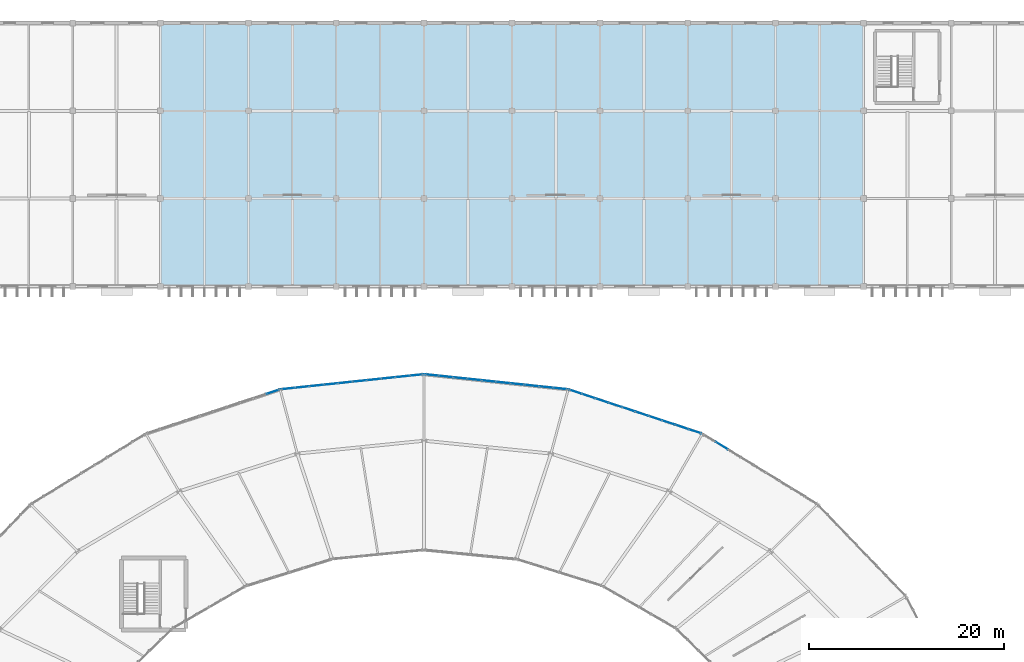
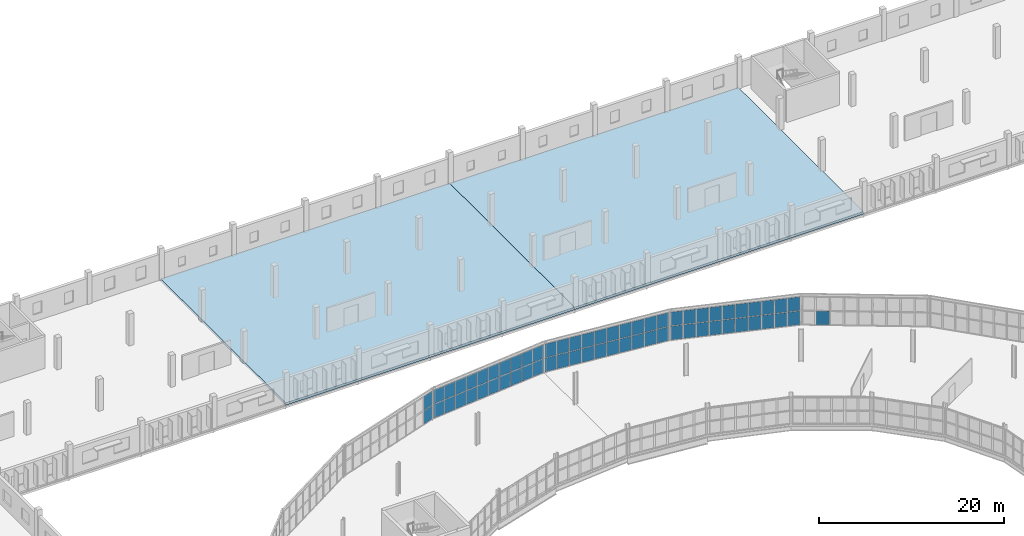
# One storey, part 128 of 161: 63 plates, 2 slabs, 5 elements without a shape of their own.
"""IFC4 building model written with IfcOpenShell, lengths in metres."""

from ifc_helpers import new_model, si_unit, direction, frame, origin, origin_2d, place, context, subcontext, project, spatial, polyline, rectangle, outline, extrude, material, layer, layer_set, type_object, element, aggregate, save


model = new_model("IFC4")

# Units and contexts
model_context = context("Model", 3, precision=1e-05, world=origin(), true_north=direction((0.0, 1.0)))
body_context = subcontext(model_context, "Body", "Model", "MODEL_VIEW")
ifc_project = project(units=[si_unit("LENGTHUNIT", "METRE"), si_unit("AREAUNIT", "SQUARE_METRE"), si_unit("VOLUMEUNIT", "CUBIC_METRE"), si_unit("PLANEANGLEUNIT", "RADIAN"), si_unit("MASSUNIT", "GRAM", prefix="KILO")], contexts=[model_context])

# Site, building, storey
site_placement = place(None, origin())
site = spatial("IfcSite", under=ifc_project, at=site_placement, CompositionType="ELEMENT")
building_placement = place(site_placement, origin())
building = spatial("IfcBuilding", under=site, at=building_placement, Name="Kildeholm Park Wholesale Market", CompositionType="ELEMENT")
storey_placement = place(building_placement, frame((0.0, 0.0, 5.39990234375)))
storey = spatial("IfcBuildingStorey", under=building, at=storey_placement, Name="L01", CompositionType="ELEMENT", Elevation=5.39990234375)

# Curtain wall, plate
ifc_material_1 = material(Name="Anodised aluminium and low-E double-glazed glass", Category="aluminium")
curtain_wall_type = type_object("IfcCurtainWallType", Name="Market hall glazed arcade stick curtain wall CW-01", PredefinedType="NOTDEFINED", material=ifc_material_1)
curtain_wall_1_placement = place(storey_placement, origin())
curtain_wall_1 = element("IfcCurtainWall", 1, at=curtain_wall_1_placement, inside=storey, type_object=curtain_wall_type, Name="Curtain wall CW-V1-OT-03-1 CW-0016", PredefinedType="NOTDEFINED")
ifc_material_2 = material(Name="Double-glazed low-E insulated glass", Category="glass")
ifc_layer_1 = layer(ifc_material_2, 0.028076171875)
ifc_layer_set_1 = layer_set([ifc_layer_1], Name="Double-glazed low-E insulated glass")
plate_type = type_object("IfcPlateType", Name="Curtain-wall panel CWP-1 28 mm", PredefinedType="CURTAIN_PANEL", material=ifc_layer_set_1)
plate_1_placement = place(storey_placement, frame((129.493408203125, 127.688720703125, 0.06494140625), z_axis=(0.0, 0.0, 1.0), x_axis=(-0.852771402766, 0.522284342695, 0.0)))
plate_1 = element("IfcPlate", 2, at=plate_1_placement, type_object=plate_type, Name="CW-01 panel 8.1 PLT-0368", PredefinedType="CURTAIN_PANEL", context=body_context, shape_type="SweptSolid", body=[
    extrude(rectangle(XDim=1.46435546875, YDim=0.028076171875, at=origin_2d()), origin(), (0.0, 0.0, 1.0), 1.802490234375),
])
aggregate(curtain_wall_1, [plate_1])

# Curtain wall, plates
curtain_wall_2_placement = place(storey_placement, origin())
curtain_wall_2 = element("IfcCurtainWall", 3, at=curtain_wall_2_placement, inside=storey, type_object=curtain_wall_type, Name="Curtain wall CW-V1-OT-04-1 CW-0021", PredefinedType="NOTDEFINED")
plate_2_placement = place(storey_placement, frame((126.76513671875, 129.152099609375, 0.06494140625), z_axis=(0.0, 0.0, 1.0), x_axis=(-0.949451374478, 0.313914140335, 0.0)))
plate_2 = element("IfcPlate", 4, at=plate_2_placement, type_object=plate_type, Name="CW-01 panel 1.1 PLT-0424", PredefinedType="CURTAIN_PANEL", context=body_context, shape_type="SweptSolid", body=[
    extrude(rectangle(XDim=1.34228515625, YDim=0.028076171875, at=origin_2d()), origin(), (0.0, 0.0, 1.0), 1.802490234375),
])
plate_3_placement = place(storey_placement, frame((126.76513671875, 129.152099609375, 1.9326171875), z_axis=(0.0, 0.0, 1.0), x_axis=(-0.949451374478, 0.313914140335, 0.0)))
plate_3 = element("IfcPlate", 5, at=plate_3_placement, type_object=plate_type, Name="CW-01 panel 1.2 PLT-0425", PredefinedType="CURTAIN_PANEL", context=body_context, shape_type="SweptSolid", body=[
    extrude(rectangle(XDim=1.34228515625, YDim=0.028076171875, at=origin_2d()), origin(), (0.0, 0.0, 1.0), 1.802490234375),
])
plate_4_placement = place(storey_placement, frame((125.413330078125, 129.59912109375, 0.06494140625), z_axis=(0.0, 0.0, 1.0), x_axis=(-0.949451374478, 0.313914140335, 0.0)))
plate_4 = element("IfcPlate", 6, at=plate_4_placement, type_object=plate_type, Name="CW-01 panel 2.1 PLT-0426", PredefinedType="CURTAIN_PANEL", context=body_context, shape_type="SweptSolid", body=[
    extrude(rectangle(XDim=1.375, YDim=0.028076171875, at=origin_2d()), origin(), (0.0, 0.0, 1.0), 1.802490234375),
])
plate_5_placement = place(storey_placement, frame((125.413330078125, 129.59912109375, 1.9326171875), z_axis=(0.0, 0.0, 1.0), x_axis=(-0.949451374478, 0.313914140335, 0.0)))
plate_5 = element("IfcPlate", 7, at=plate_5_placement, type_object=plate_type, Name="CW-01 panel 2.2 PLT-0427", PredefinedType="CURTAIN_PANEL", context=body_context, shape_type="SweptSolid", body=[
    extrude(rectangle(XDim=1.375, YDim=0.028076171875, at=origin_2d()), origin(), (0.0, 0.0, 1.0), 1.802490234375),
])
plate_6_placement = place(storey_placement, frame((124.046142578125, 130.051025390625, 0.06494140625), z_axis=(0.0, 0.0, 1.0), x_axis=(-0.949451374478, 0.313914140335, 0.0)))
plate_6 = element("IfcPlate", 8, at=plate_6_placement, type_object=plate_type, Name="CW-01 panel 3.1 PLT-0428", PredefinedType="CURTAIN_PANEL", context=body_context, shape_type="SweptSolid", body=[
    extrude(rectangle(XDim=1.375, YDim=0.028076171875, at=origin_2d()), origin(), (0.0, 0.0, 1.0), 1.802490234375),
])
plate_7_placement = place(storey_placement, frame((124.046142578125, 130.051025390625, 1.9326171875), z_axis=(0.0, 0.0, 1.0), x_axis=(-0.949451374478, 0.313914140335, 0.0)))
plate_7 = element("IfcPlate", 9, at=plate_7_placement, type_object=plate_type, Name="CW-01 panel 3.2 PLT-0429", PredefinedType="CURTAIN_PANEL", context=body_context, shape_type="SweptSolid", body=[
    extrude(rectangle(XDim=1.375, YDim=0.028076171875, at=origin_2d()), origin(), (0.0, 0.0, 1.0), 1.802490234375),
])
plate_8_placement = place(storey_placement, frame((122.67919921875, 130.5029296875, 0.06494140625), z_axis=(0.0, 0.0, 1.0), x_axis=(-0.949451374478, 0.313914140335, 0.0)))
plate_8 = element("IfcPlate", 10, at=plate_8_placement, type_object=plate_type, Name="CW-01 panel 4.1 PLT-0430", PredefinedType="CURTAIN_PANEL", context=body_context, shape_type="SweptSolid", body=[
    extrude(rectangle(XDim=1.375, YDim=0.028076171875, at=origin_2d()), origin(), (0.0, 0.0, 1.0), 1.802490234375),
])
plate_9_placement = place(storey_placement, frame((122.67919921875, 130.5029296875, 1.9326171875), z_axis=(0.0, 0.0, 1.0), x_axis=(-0.949451374478, 0.313914140335, 0.0)))
plate_9 = element("IfcPlate", 11, at=plate_9_placement, type_object=plate_type, Name="CW-01 panel 4.2 PLT-0431", PredefinedType="CURTAIN_PANEL", context=body_context, shape_type="SweptSolid", body=[
    extrude(rectangle(XDim=1.375, YDim=0.028076171875, at=origin_2d()), origin(), (0.0, 0.0, 1.0), 1.802490234375),
])
plate_10_placement = place(storey_placement, frame((121.31201171875, 130.955078125, 0.06494140625), z_axis=(0.0, 0.0, 1.0), x_axis=(-0.949451374478, 0.313914140335, 0.0)))
plate_10 = element("IfcPlate", 12, at=plate_10_placement, type_object=plate_type, Name="CW-01 panel 5.1 PLT-0432", PredefinedType="CURTAIN_PANEL", context=body_context, shape_type="SweptSolid", body=[
    extrude(rectangle(XDim=1.375, YDim=0.028076171875, at=origin_2d()), origin(), (0.0, 0.0, 1.0), 1.802490234375),
])
plate_11_placement = place(storey_placement, frame((121.31201171875, 130.955078125, 1.9326171875), z_axis=(0.0, 0.0, 1.0), x_axis=(-0.949451374478, 0.313914140335, 0.0)))
plate_11 = element("IfcPlate", 13, at=plate_11_placement, type_object=plate_type, Name="CW-01 panel 5.2 PLT-0433", PredefinedType="CURTAIN_PANEL", context=body_context, shape_type="SweptSolid", body=[
    extrude(rectangle(XDim=1.375, YDim=0.028076171875, at=origin_2d()), origin(), (0.0, 0.0, 1.0), 1.802490234375),
])
plate_12_placement = place(storey_placement, frame((119.945068359375, 131.406982421875, 0.06494140625), z_axis=(0.0, 0.0, 1.0), x_axis=(-0.949451374478, 0.313914140335, 0.0)))
plate_12 = element("IfcPlate", 14, at=plate_12_placement, type_object=plate_type, Name="CW-01 panel 6.1 PLT-0434", PredefinedType="CURTAIN_PANEL", context=body_context, shape_type="SweptSolid", body=[
    extrude(rectangle(XDim=1.375, YDim=0.028076171875, at=origin_2d()), origin(), (0.0, 0.0, 1.0), 1.802490234375),
])
plate_13_placement = place(storey_placement, frame((119.945068359375, 131.406982421875, 1.9326171875), z_axis=(0.0, 0.0, 1.0), x_axis=(-0.949451374478, 0.313914140335, 0.0)))
plate_13 = element("IfcPlate", 15, at=plate_13_placement, type_object=plate_type, Name="CW-01 panel 6.2 PLT-0435", PredefinedType="CURTAIN_PANEL", context=body_context, shape_type="SweptSolid", body=[
    extrude(rectangle(XDim=1.375, YDim=0.028076171875, at=origin_2d()), origin(), (0.0, 0.0, 1.0), 1.802490234375),
])
plate_14_placement = place(storey_placement, frame((118.577880859375, 131.85888671875, 0.06494140625), z_axis=(0.0, 0.0, 1.0), x_axis=(-0.949451374478, 0.313914140335, 0.0)))
plate_14 = element("IfcPlate", 16, at=plate_14_placement, type_object=plate_type, Name="CW-01 panel 7.1 PLT-0436", PredefinedType="CURTAIN_PANEL", context=body_context, shape_type="SweptSolid", body=[
    extrude(rectangle(XDim=1.375, YDim=0.028076171875, at=origin_2d()), origin(), (0.0, 0.0, 1.0), 1.802490234375),
])
plate_15_placement = place(storey_placement, frame((118.577880859375, 131.85888671875, 1.9326171875), z_axis=(0.0, 0.0, 1.0), x_axis=(-0.949451374478, 0.313914140335, 0.0)))
plate_15 = element("IfcPlate", 17, at=plate_15_placement, type_object=plate_type, Name="CW-01 panel 7.2 PLT-0437", PredefinedType="CURTAIN_PANEL", context=body_context, shape_type="SweptSolid", body=[
    extrude(rectangle(XDim=1.375, YDim=0.028076171875, at=origin_2d()), origin(), (0.0, 0.0, 1.0), 1.802490234375),
])
plate_16_placement = place(storey_placement, frame((117.210693359375, 132.31103515625, 0.06494140625), z_axis=(0.0, 0.0, 1.0), x_axis=(-0.949451374478, 0.313914140335, 0.0)))
plate_16 = element("IfcPlate", 18, at=plate_16_placement, type_object=plate_type, Name="CW-01 panel 8.1 PLT-0438", PredefinedType="CURTAIN_PANEL", context=body_context, shape_type="SweptSolid", body=[
    extrude(rectangle(XDim=1.375, YDim=0.028076171875, at=origin_2d()), origin(), (0.0, 0.0, 1.0), 1.802490234375),
])
plate_17_placement = place(storey_placement, frame((117.210693359375, 132.31103515625, 1.9326171875), z_axis=(0.0, 0.0, 1.0), x_axis=(-0.949451374478, 0.313914140335, 0.0)))
plate_17 = element("IfcPlate", 19, at=plate_17_placement, type_object=plate_type, Name="CW-01 panel 8.2 PLT-0439", PredefinedType="CURTAIN_PANEL", context=body_context, shape_type="SweptSolid", body=[
    extrude(rectangle(XDim=1.375, YDim=0.028076171875, at=origin_2d()), origin(), (0.0, 0.0, 1.0), 1.802490234375),
])
plate_18_placement = place(storey_placement, frame((115.84375, 132.762939453125, 0.06494140625), z_axis=(0.0, 0.0, 1.0), x_axis=(-0.949451374478, 0.313914140335, 0.0)))
plate_18 = element("IfcPlate", 20, at=plate_18_placement, type_object=plate_type, Name="CW-01 panel 9.1 PLT-0440", PredefinedType="CURTAIN_PANEL", context=body_context, shape_type="SweptSolid", body=[
    extrude(rectangle(XDim=1.375, YDim=0.028076171875, at=origin_2d()), origin(), (0.0, 0.0, 1.0), 1.802490234375),
])
plate_19_placement = place(storey_placement, frame((115.84375, 132.762939453125, 1.9326171875), z_axis=(0.0, 0.0, 1.0), x_axis=(-0.949451374478, 0.313914140335, 0.0)))
plate_19 = element("IfcPlate", 21, at=plate_19_placement, type_object=plate_type, Name="CW-01 panel 9.2 PLT-0441", PredefinedType="CURTAIN_PANEL", context=body_context, shape_type="SweptSolid", body=[
    extrude(rectangle(XDim=1.375, YDim=0.028076171875, at=origin_2d()), origin(), (0.0, 0.0, 1.0), 1.802490234375),
])
plate_20_placement = place(storey_placement, frame((114.491943359375, 133.2099609375, 0.06494140625), z_axis=(0.0, 0.0, 1.0), x_axis=(-0.949451374478, 0.313914140335, 0.0)))
plate_20 = element("IfcPlate", 22, at=plate_20_placement, type_object=plate_type, Name="CW-01 panel 10.1 PLT-0442", PredefinedType="CURTAIN_PANEL", context=body_context, shape_type="SweptSolid", body=[
    extrude(rectangle(XDim=1.34228515625, YDim=0.028076171875, at=origin_2d()), origin(), (0.0, 0.0, 1.0), 1.802490234375),
])
plate_21_placement = place(storey_placement, frame((114.491943359375, 133.2099609375, 1.9326171875), z_axis=(0.0, 0.0, 1.0), x_axis=(-0.949451374478, 0.313914140335, 0.0)))
plate_21 = element("IfcPlate", 23, at=plate_21_placement, type_object=plate_type, Name="CW-01 panel 10.2 PLT-0443", PredefinedType="CURTAIN_PANEL", context=body_context, shape_type="SweptSolid", body=[
    extrude(rectangle(XDim=1.34228515625, YDim=0.028076171875, at=origin_2d()), origin(), (0.0, 0.0, 1.0), 1.802490234375),
])
aggregate(curtain_wall_2, [plate_2, plate_3, plate_4, plate_5, plate_6, plate_7, plate_8, plate_9, plate_10, plate_11, plate_12, plate_13, plate_14, plate_15, plate_16, plate_17, plate_18, plate_19, plate_20, plate_21])

curtain_wall_3_placement = place(storey_placement, origin())
curtain_wall_3 = element("IfcCurtainWall", 24, at=curtain_wall_3_placement, inside=storey, type_object=curtain_wall_type, Name="Curtain wall CW-V1-OT-05-1 CW-0026", PredefinedType="NOTDEFINED")
plate_22_placement = place(storey_placement, frame((112.964111328125, 133.536865234375, 0.06494140625), z_axis=(0.0, 0.0, 1.0), x_axis=(-0.994524005652, 0.104508383308, 0.0)))
plate_22 = element("IfcPlate", 25, at=plate_22_placement, type_object=plate_type, Name="CW-01 panel 1.1 PLT-0496", PredefinedType="CURTAIN_PANEL", context=body_context, shape_type="SweptSolid", body=[
    extrude(rectangle(XDim=1.3779296875, YDim=0.028076171875, at=origin_2d()), origin(), (0.0, 0.0, 1.0), 1.802490234375),
])
plate_23_placement = place(storey_placement, frame((112.964111328125, 133.536865234375, 1.9326171875), z_axis=(0.0, 0.0, 1.0), x_axis=(-0.994524005652, 0.104508383308, 0.0)))
plate_23 = element("IfcPlate", 26, at=plate_23_placement, type_object=plate_type, Name="CW-01 panel 1.2 PLT-0497", PredefinedType="CURTAIN_PANEL", context=body_context, shape_type="SweptSolid", body=[
    extrude(rectangle(XDim=1.3779296875, YDim=0.028076171875, at=origin_2d()), origin(), (0.0, 0.0, 1.0), 1.802490234375),
])
plate_24_placement = place(storey_placement, frame((111.512939453125, 133.689208984375, 0.06494140625), z_axis=(0.0, 0.0, 1.0), x_axis=(-0.994524005652, 0.104508383308, 0.0)))
plate_24 = element("IfcPlate", 27, at=plate_24_placement, type_object=plate_type, Name="CW-01 panel 2.1 PLT-0498", PredefinedType="CURTAIN_PANEL", context=body_context, shape_type="SweptSolid", body=[
    extrude(rectangle(XDim=1.410400390625, YDim=0.028076171875, at=origin_2d()), origin(), (0.0, 0.0, 1.0), 1.802490234375),
])
plate_25_placement = place(storey_placement, frame((111.512939453125, 133.689208984375, 1.9326171875), z_axis=(0.0, 0.0, 1.0), x_axis=(-0.994524005652, 0.104508383308, 0.0)))
plate_25 = element("IfcPlate", 28, at=plate_25_placement, type_object=plate_type, Name="CW-01 panel 2.2 PLT-0499", PredefinedType="CURTAIN_PANEL", context=body_context, shape_type="SweptSolid", body=[
    extrude(rectangle(XDim=1.410400390625, YDim=0.028076171875, at=origin_2d()), origin(), (0.0, 0.0, 1.0), 1.802490234375),
])
plate_26_placement = place(storey_placement, frame((110.04541015625, 133.843505859375, 0.06494140625), z_axis=(0.0, 0.0, 1.0), x_axis=(-0.994524005652, 0.104508383308, 0.0)))
plate_26 = element("IfcPlate", 29, at=plate_26_placement, type_object=plate_type, Name="CW-01 panel 3.1 PLT-0500", PredefinedType="CURTAIN_PANEL", context=body_context, shape_type="SweptSolid", body=[
    extrude(rectangle(XDim=1.410400390625, YDim=0.028076171875, at=origin_2d()), origin(), (0.0, 0.0, 1.0), 1.802490234375),
])
plate_27_placement = place(storey_placement, frame((110.04541015625, 133.843505859375, 1.9326171875), z_axis=(0.0, 0.0, 1.0), x_axis=(-0.994524005652, 0.104508383308, 0.0)))
plate_27 = element("IfcPlate", 30, at=plate_27_placement, type_object=plate_type, Name="CW-01 panel 3.2 PLT-0501", PredefinedType="CURTAIN_PANEL", context=body_context, shape_type="SweptSolid", body=[
    extrude(rectangle(XDim=1.410400390625, YDim=0.028076171875, at=origin_2d()), origin(), (0.0, 0.0, 1.0), 1.802490234375),
])
plate_28_placement = place(storey_placement, frame((108.578125, 133.997802734375, 0.06494140625), z_axis=(0.0, 0.0, 1.0), x_axis=(-0.994524005652, 0.104508383308, 0.0)))
plate_28 = element("IfcPlate", 31, at=plate_28_placement, type_object=plate_type, Name="CW-01 panel 4.1 PLT-0502", PredefinedType="CURTAIN_PANEL", context=body_context, shape_type="SweptSolid", body=[
    extrude(rectangle(XDim=1.410400390625, YDim=0.028076171875, at=origin_2d()), origin(), (0.0, 0.0, 1.0), 1.802490234375),
])
plate_29_placement = place(storey_placement, frame((108.578125, 133.997802734375, 1.9326171875), z_axis=(0.0, 0.0, 1.0), x_axis=(-0.994524005652, 0.104508383308, 0.0)))
plate_29 = element("IfcPlate", 32, at=plate_29_placement, type_object=plate_type, Name="CW-01 panel 4.2 PLT-0503", PredefinedType="CURTAIN_PANEL", context=body_context, shape_type="SweptSolid", body=[
    extrude(rectangle(XDim=1.410400390625, YDim=0.028076171875, at=origin_2d()), origin(), (0.0, 0.0, 1.0), 1.802490234375),
])
plate_30_placement = place(storey_placement, frame((107.110595703125, 134.15185546875, 0.06494140625), z_axis=(0.0, 0.0, 1.0), x_axis=(-0.994524005652, 0.104508383308, 0.0)))
plate_30 = element("IfcPlate", 33, at=plate_30_placement, type_object=plate_type, Name="CW-01 panel 5.1 PLT-0504", PredefinedType="CURTAIN_PANEL", context=body_context, shape_type="SweptSolid", body=[
    extrude(rectangle(XDim=1.410400390625, YDim=0.028076171875, at=origin_2d()), origin(), (0.0, 0.0, 1.0), 1.802490234375),
])
plate_31_placement = place(storey_placement, frame((107.110595703125, 134.15185546875, 1.9326171875), z_axis=(0.0, 0.0, 1.0), x_axis=(-0.994524005652, 0.104508383308, 0.0)))
plate_31 = element("IfcPlate", 34, at=plate_31_placement, type_object=plate_type, Name="CW-01 panel 5.2 PLT-0505", PredefinedType="CURTAIN_PANEL", context=body_context, shape_type="SweptSolid", body=[
    extrude(rectangle(XDim=1.410400390625, YDim=0.028076171875, at=origin_2d()), origin(), (0.0, 0.0, 1.0), 1.802490234375),
])
plate_32_placement = place(storey_placement, frame((105.643310546875, 134.30615234375, 0.06494140625), z_axis=(0.0, 0.0, 1.0), x_axis=(-0.994524005652, 0.104508383308, 0.0)))
plate_32 = element("IfcPlate", 35, at=plate_32_placement, type_object=plate_type, Name="CW-01 panel 6.1 PLT-0506", PredefinedType="CURTAIN_PANEL", context=body_context, shape_type="SweptSolid", body=[
    extrude(rectangle(XDim=1.410400390625, YDim=0.028076171875, at=origin_2d()), origin(), (0.0, 0.0, 1.0), 1.802490234375),
])
plate_33_placement = place(storey_placement, frame((105.643310546875, 134.30615234375, 1.9326171875), z_axis=(0.0, 0.0, 1.0), x_axis=(-0.994524005652, 0.104508383308, 0.0)))
plate_33 = element("IfcPlate", 36, at=plate_33_placement, type_object=plate_type, Name="CW-01 panel 6.2 PLT-0507", PredefinedType="CURTAIN_PANEL", context=body_context, shape_type="SweptSolid", body=[
    extrude(rectangle(XDim=1.410400390625, YDim=0.028076171875, at=origin_2d()), origin(), (0.0, 0.0, 1.0), 1.802490234375),
])
plate_34_placement = place(storey_placement, frame((104.17578125, 134.460205078125, 0.06494140625), z_axis=(0.0, 0.0, 1.0), x_axis=(-0.994524005652, 0.104508383308, 0.0)))
plate_34 = element("IfcPlate", 37, at=plate_34_placement, type_object=plate_type, Name="CW-01 panel 7.1 PLT-0508", PredefinedType="CURTAIN_PANEL", context=body_context, shape_type="SweptSolid", body=[
    extrude(rectangle(XDim=1.410400390625, YDim=0.028076171875, at=origin_2d()), origin(), (0.0, 0.0, 1.0), 1.802490234375),
])
plate_35_placement = place(storey_placement, frame((104.17578125, 134.460205078125, 1.9326171875), z_axis=(0.0, 0.0, 1.0), x_axis=(-0.994524005652, 0.104508383308, 0.0)))
plate_35 = element("IfcPlate", 38, at=plate_35_placement, type_object=plate_type, Name="CW-01 panel 7.2 PLT-0509", PredefinedType="CURTAIN_PANEL", context=body_context, shape_type="SweptSolid", body=[
    extrude(rectangle(XDim=1.410400390625, YDim=0.028076171875, at=origin_2d()), origin(), (0.0, 0.0, 1.0), 1.802490234375),
])
plate_36_placement = place(storey_placement, frame((102.70849609375, 134.614501953125, 0.06494140625), z_axis=(0.0, 0.0, 1.0), x_axis=(-0.994524005652, 0.104508383308, 0.0)))
plate_36 = element("IfcPlate", 39, at=plate_36_placement, type_object=plate_type, Name="CW-01 panel 8.1 PLT-0510", PredefinedType="CURTAIN_PANEL", context=body_context, shape_type="SweptSolid", body=[
    extrude(rectangle(XDim=1.410400390625, YDim=0.028076171875, at=origin_2d()), origin(), (0.0, 0.0, 1.0), 1.802490234375),
])
plate_37_placement = place(storey_placement, frame((102.70849609375, 134.614501953125, 1.9326171875), z_axis=(0.0, 0.0, 1.0), x_axis=(-0.994524005652, 0.104508383308, 0.0)))
plate_37 = element("IfcPlate", 40, at=plate_37_placement, type_object=plate_type, Name="CW-01 panel 8.2 PLT-0511", PredefinedType="CURTAIN_PANEL", context=body_context, shape_type="SweptSolid", body=[
    extrude(rectangle(XDim=1.410400390625, YDim=0.028076171875, at=origin_2d()), origin(), (0.0, 0.0, 1.0), 1.802490234375),
])
plate_38_placement = place(storey_placement, frame((101.2412109375, 134.768798828125, 0.06494140625), z_axis=(0.0, 0.0, 1.0), x_axis=(-0.994524005652, 0.104508383308, 0.0)))
plate_38 = element("IfcPlate", 41, at=plate_38_placement, type_object=plate_type, Name="CW-01 panel 9.1 PLT-0512", PredefinedType="CURTAIN_PANEL", context=body_context, shape_type="SweptSolid", body=[
    extrude(rectangle(XDim=1.410400390625, YDim=0.028076171875, at=origin_2d()), origin(), (0.0, 0.0, 1.0), 1.802490234375),
])
plate_39_placement = place(storey_placement, frame((101.2412109375, 134.768798828125, 1.9326171875), z_axis=(0.0, 0.0, 1.0), x_axis=(-0.994524005652, 0.104508383308, 0.0)))
plate_39 = element("IfcPlate", 42, at=plate_39_placement, type_object=plate_type, Name="CW-01 panel 9.2 PLT-0513", PredefinedType="CURTAIN_PANEL", context=body_context, shape_type="SweptSolid", body=[
    extrude(rectangle(XDim=1.410400390625, YDim=0.028076171875, at=origin_2d()), origin(), (0.0, 0.0, 1.0), 1.802490234375),
])
plate_40_placement = place(storey_placement, frame((99.789794921875, 134.921142578125, 0.06494140625), z_axis=(0.0, 0.0, 1.0), x_axis=(-0.994524005652, 0.104508383308, 0.0)))
plate_40 = element("IfcPlate", 43, at=plate_40_placement, type_object=plate_type, Name="CW-01 panel 10.1 PLT-0514", PredefinedType="CURTAIN_PANEL", context=body_context, shape_type="SweptSolid", body=[
    extrude(rectangle(XDim=1.3779296875, YDim=0.028076171875, at=origin_2d()), origin(), (0.0, 0.0, 1.0), 1.802490234375),
])
plate_41_placement = place(storey_placement, frame((99.789794921875, 134.921142578125, 1.9326171875), z_axis=(0.0, 0.0, 1.0), x_axis=(-0.994524005652, 0.104508383308, 0.0)))
plate_41 = element("IfcPlate", 44, at=plate_41_placement, type_object=plate_type, Name="CW-01 panel 10.2 PLT-0515", PredefinedType="CURTAIN_PANEL", context=body_context, shape_type="SweptSolid", body=[
    extrude(rectangle(XDim=1.3779296875, YDim=0.028076171875, at=origin_2d()), origin(), (0.0, 0.0, 1.0), 1.802490234375),
])
aggregate(curtain_wall_3, [plate_22, plate_23, plate_24, plate_25, plate_26, plate_27, plate_28, plate_29, plate_30, plate_31, plate_32, plate_33, plate_34, plate_35, plate_36, plate_37, plate_38, plate_39, plate_40, plate_41])

curtain_wall_4_placement = place(storey_placement, origin())
curtain_wall_4 = element("IfcCurtainWall", 45, at=curtain_wall_4_placement, inside=storey, type_object=curtain_wall_type, Name="Curtain wall CW-V1-OT-06-1 CW-0030", PredefinedType="NOTDEFINED")
plate_42_placement = place(storey_placement, frame((98.210205078125, 134.921142578125, 0.06494140625), z_axis=(0.0, 0.0, 1.0), x_axis=(-0.994524005652, -0.104508383308, 0.0)))
plate_42 = element("IfcPlate", 46, at=plate_42_placement, type_object=plate_type, Name="CW-01 panel 1.1 PLT-0558", PredefinedType="CURTAIN_PANEL", context=body_context, shape_type="SweptSolid", body=[
    extrude(rectangle(XDim=1.3779296875, YDim=0.028076171875, at=origin_2d()), origin(), (0.0, 0.0, 1.0), 1.802490234375),
])
plate_43_placement = place(storey_placement, frame((98.210205078125, 134.921142578125, 1.9326171875), z_axis=(0.0, 0.0, 1.0), x_axis=(-0.994524005652, -0.104508383308, 0.0)))
plate_43 = element("IfcPlate", 47, at=plate_43_placement, type_object=plate_type, Name="CW-01 panel 1.2 PLT-0559", PredefinedType="CURTAIN_PANEL", context=body_context, shape_type="SweptSolid", body=[
    extrude(rectangle(XDim=1.3779296875, YDim=0.028076171875, at=origin_2d()), origin(), (0.0, 0.0, 1.0), 1.802490234375),
])
plate_44_placement = place(storey_placement, frame((96.7587890625, 134.768798828125, 0.06494140625), z_axis=(0.0, 0.0, 1.0), x_axis=(-0.994524005652, -0.104508383308, 0.0)))
plate_44 = element("IfcPlate", 48, at=plate_44_placement, type_object=plate_type, Name="CW-01 panel 2.1 PLT-0560", PredefinedType="CURTAIN_PANEL", context=body_context, shape_type="SweptSolid", body=[
    extrude(rectangle(XDim=1.410400390625, YDim=0.028076171875, at=origin_2d()), origin(), (0.0, 0.0, 1.0), 1.802490234375),
])
plate_45_placement = place(storey_placement, frame((96.7587890625, 134.768798828125, 1.9326171875), z_axis=(0.0, 0.0, 1.0), x_axis=(-0.994524005652, -0.104508383308, 0.0)))
plate_45 = element("IfcPlate", 49, at=plate_45_placement, type_object=plate_type, Name="CW-01 panel 2.2 PLT-0561", PredefinedType="CURTAIN_PANEL", context=body_context, shape_type="SweptSolid", body=[
    extrude(rectangle(XDim=1.410400390625, YDim=0.028076171875, at=origin_2d()), origin(), (0.0, 0.0, 1.0), 1.802490234375),
])
plate_46_placement = place(storey_placement, frame((95.29150390625, 134.614501953125, 0.06494140625), z_axis=(0.0, 0.0, 1.0), x_axis=(-0.994524005652, -0.104508383308, 0.0)))
plate_46 = element("IfcPlate", 50, at=plate_46_placement, type_object=plate_type, Name="CW-01 panel 3.1 PLT-0562", PredefinedType="CURTAIN_PANEL", context=body_context, shape_type="SweptSolid", body=[
    extrude(rectangle(XDim=1.410400390625, YDim=0.028076171875, at=origin_2d()), origin(), (0.0, 0.0, 1.0), 1.802490234375),
])
plate_47_placement = place(storey_placement, frame((95.29150390625, 134.614501953125, 1.9326171875), z_axis=(0.0, 0.0, 1.0), x_axis=(-0.994524005652, -0.104508383308, 0.0)))
plate_47 = element("IfcPlate", 51, at=plate_47_placement, type_object=plate_type, Name="CW-01 panel 3.2 PLT-0563", PredefinedType="CURTAIN_PANEL", context=body_context, shape_type="SweptSolid", body=[
    extrude(rectangle(XDim=1.410400390625, YDim=0.028076171875, at=origin_2d()), origin(), (0.0, 0.0, 1.0), 1.802490234375),
])
plate_48_placement = place(storey_placement, frame((93.82421875, 134.460205078125, 0.06494140625), z_axis=(0.0, 0.0, 1.0), x_axis=(-0.994524005652, -0.104508383308, 0.0)))
plate_48 = element("IfcPlate", 52, at=plate_48_placement, type_object=plate_type, Name="CW-01 panel 4.1 PLT-0564", PredefinedType="CURTAIN_PANEL", context=body_context, shape_type="SweptSolid", body=[
    extrude(rectangle(XDim=1.410400390625, YDim=0.028076171875, at=origin_2d()), origin(), (0.0, 0.0, 1.0), 1.802490234375),
])
plate_49_placement = place(storey_placement, frame((93.82421875, 134.460205078125, 1.9326171875), z_axis=(0.0, 0.0, 1.0), x_axis=(-0.994524005652, -0.104508383308, 0.0)))
plate_49 = element("IfcPlate", 53, at=plate_49_placement, type_object=plate_type, Name="CW-01 panel 4.2 PLT-0565", PredefinedType="CURTAIN_PANEL", context=body_context, shape_type="SweptSolid", body=[
    extrude(rectangle(XDim=1.410400390625, YDim=0.028076171875, at=origin_2d()), origin(), (0.0, 0.0, 1.0), 1.802490234375),
])
plate_50_placement = place(storey_placement, frame((92.356689453125, 134.30615234375, 0.06494140625), z_axis=(0.0, 0.0, 1.0), x_axis=(-0.994524005652, -0.104508383308, 0.0)))
plate_50 = element("IfcPlate", 54, at=plate_50_placement, type_object=plate_type, Name="CW-01 panel 5.1 PLT-0566", PredefinedType="CURTAIN_PANEL", context=body_context, shape_type="SweptSolid", body=[
    extrude(rectangle(XDim=1.410400390625, YDim=0.028076171875, at=origin_2d()), origin(), (0.0, 0.0, 1.0), 1.802490234375),
])
plate_51_placement = place(storey_placement, frame((92.356689453125, 134.30615234375, 1.9326171875), z_axis=(0.0, 0.0, 1.0), x_axis=(-0.994524005652, -0.104508383308, 0.0)))
plate_51 = element("IfcPlate", 55, at=plate_51_placement, type_object=plate_type, Name="CW-01 panel 5.2 PLT-0567", PredefinedType="CURTAIN_PANEL", context=body_context, shape_type="SweptSolid", body=[
    extrude(rectangle(XDim=1.410400390625, YDim=0.028076171875, at=origin_2d()), origin(), (0.0, 0.0, 1.0), 1.802490234375),
])
plate_52_placement = place(storey_placement, frame((90.889404296875, 134.15185546875, 0.06494140625), z_axis=(0.0, 0.0, 1.0), x_axis=(-0.994524005652, -0.104508383308, 0.0)))
plate_52 = element("IfcPlate", 56, at=plate_52_placement, type_object=plate_type, Name="CW-01 panel 6.1 PLT-0568", PredefinedType="CURTAIN_PANEL", context=body_context, shape_type="SweptSolid", body=[
    extrude(rectangle(XDim=1.410400390625, YDim=0.028076171875, at=origin_2d()), origin(), (0.0, 0.0, 1.0), 1.802490234375),
])
plate_53_placement = place(storey_placement, frame((90.889404296875, 134.15185546875, 1.9326171875), z_axis=(0.0, 0.0, 1.0), x_axis=(-0.994524005652, -0.104508383308, 0.0)))
plate_53 = element("IfcPlate", 57, at=plate_53_placement, type_object=plate_type, Name="CW-01 panel 6.2 PLT-0569", PredefinedType="CURTAIN_PANEL", context=body_context, shape_type="SweptSolid", body=[
    extrude(rectangle(XDim=1.410400390625, YDim=0.028076171875, at=origin_2d()), origin(), (0.0, 0.0, 1.0), 1.802490234375),
])
plate_54_placement = place(storey_placement, frame((89.421875, 133.997802734375, 0.06494140625), z_axis=(0.0, 0.0, 1.0), x_axis=(-0.994524005652, -0.104508383308, 0.0)))
plate_54 = element("IfcPlate", 58, at=plate_54_placement, type_object=plate_type, Name="CW-01 panel 7.1 PLT-0570", PredefinedType="CURTAIN_PANEL", context=body_context, shape_type="SweptSolid", body=[
    extrude(rectangle(XDim=1.410400390625, YDim=0.028076171875, at=origin_2d()), origin(), (0.0, 0.0, 1.0), 1.802490234375),
])
plate_55_placement = place(storey_placement, frame((89.421875, 133.997802734375, 1.9326171875), z_axis=(0.0, 0.0, 1.0), x_axis=(-0.994524005652, -0.104508383308, 0.0)))
plate_55 = element("IfcPlate", 59, at=plate_55_placement, type_object=plate_type, Name="CW-01 panel 7.2 PLT-0571", PredefinedType="CURTAIN_PANEL", context=body_context, shape_type="SweptSolid", body=[
    extrude(rectangle(XDim=1.410400390625, YDim=0.028076171875, at=origin_2d()), origin(), (0.0, 0.0, 1.0), 1.802490234375),
])
plate_56_placement = place(storey_placement, frame((87.95458984375, 133.843505859375, 0.06494140625), z_axis=(0.0, 0.0, 1.0), x_axis=(-0.994524005652, -0.104508383308, 0.0)))
plate_56 = element("IfcPlate", 60, at=plate_56_placement, type_object=plate_type, Name="CW-01 panel 8.1 PLT-0572", PredefinedType="CURTAIN_PANEL", context=body_context, shape_type="SweptSolid", body=[
    extrude(rectangle(XDim=1.410400390625, YDim=0.028076171875, at=origin_2d()), origin(), (0.0, 0.0, 1.0), 1.802490234375),
])
plate_57_placement = place(storey_placement, frame((87.95458984375, 133.843505859375, 1.9326171875), z_axis=(0.0, 0.0, 1.0), x_axis=(-0.994524005652, -0.104508383308, 0.0)))
plate_57 = element("IfcPlate", 61, at=plate_57_placement, type_object=plate_type, Name="CW-01 panel 8.2 PLT-0573", PredefinedType="CURTAIN_PANEL", context=body_context, shape_type="SweptSolid", body=[
    extrude(rectangle(XDim=1.410400390625, YDim=0.028076171875, at=origin_2d()), origin(), (0.0, 0.0, 1.0), 1.802490234375),
])
plate_58_placement = place(storey_placement, frame((86.487060546875, 133.689208984375, 0.06494140625), z_axis=(0.0, 0.0, 1.0), x_axis=(-0.994524005652, -0.104508383308, 0.0)))
plate_58 = element("IfcPlate", 62, at=plate_58_placement, type_object=plate_type, Name="CW-01 panel 9.1 PLT-0574", PredefinedType="CURTAIN_PANEL", context=body_context, shape_type="SweptSolid", body=[
    extrude(rectangle(XDim=1.410400390625, YDim=0.028076171875, at=origin_2d()), origin(), (0.0, 0.0, 1.0), 1.802490234375),
])
plate_59_placement = place(storey_placement, frame((86.487060546875, 133.689208984375, 1.9326171875), z_axis=(0.0, 0.0, 1.0), x_axis=(-0.994524005652, -0.104508383308, 0.0)))
plate_59 = element("IfcPlate", 63, at=plate_59_placement, type_object=plate_type, Name="CW-01 panel 9.2 PLT-0575", PredefinedType="CURTAIN_PANEL", context=body_context, shape_type="SweptSolid", body=[
    extrude(rectangle(XDim=1.410400390625, YDim=0.028076171875, at=origin_2d()), origin(), (0.0, 0.0, 1.0), 1.802490234375),
])
plate_60_placement = place(storey_placement, frame((85.035888671875, 133.536865234375, 0.06494140625), z_axis=(0.0, 0.0, 1.0), x_axis=(-0.994524005652, -0.104508383308, 0.0)))
plate_60 = element("IfcPlate", 64, at=plate_60_placement, type_object=plate_type, Name="CW-01 panel 10.1 PLT-0576", PredefinedType="CURTAIN_PANEL", context=body_context, shape_type="SweptSolid", body=[
    extrude(rectangle(XDim=1.3779296875, YDim=0.028076171875, at=origin_2d()), origin(), (0.0, 0.0, 1.0), 1.802490234375),
])
plate_61_placement = place(storey_placement, frame((85.035888671875, 133.536865234375, 1.9326171875), z_axis=(0.0, 0.0, 1.0), x_axis=(-0.994524005652, -0.104508383308, 0.0)))
plate_61 = element("IfcPlate", 65, at=plate_61_placement, type_object=plate_type, Name="CW-01 panel 10.2 PLT-0577", PredefinedType="CURTAIN_PANEL", context=body_context, shape_type="SweptSolid", body=[
    extrude(rectangle(XDim=1.3779296875, YDim=0.028076171875, at=origin_2d()), origin(), (0.0, 0.0, 1.0), 1.802490234375),
])
aggregate(curtain_wall_4, [plate_42, plate_43, plate_44, plate_45, plate_46, plate_47, plate_48, plate_49, plate_50, plate_51, plate_52, plate_53, plate_54, plate_55, plate_56, plate_57, plate_58, plate_59, plate_60, plate_61])

curtain_wall_5_placement = place(storey_placement, origin())
curtain_wall_5 = element("IfcCurtainWall", 66, at=curtain_wall_5_placement, inside=storey, type_object=curtain_wall_type, Name="Curtain wall CW-V1-OT-07-1 CW-0035", PredefinedType="NOTDEFINED")
plate_62_placement = place(storey_placement, frame((83.508056640625, 133.2099609375, 0.06494140625), z_axis=(0.0, 0.0, 1.0), x_axis=(-0.949451374478, -0.313914140335, 0.0)))
plate_62 = element("IfcPlate", 67, at=plate_62_placement, type_object=plate_type, Name="CW-01 panel 1.1 PLT-0632", PredefinedType="CURTAIN_PANEL", context=body_context, shape_type="SweptSolid", body=[
    extrude(rectangle(XDim=1.34228515625, YDim=0.028076171875, at=origin_2d()), origin(), (0.0, 0.0, 1.0), 1.802490234375),
])
plate_63_placement = place(storey_placement, frame((83.508056640625, 133.2099609375, 1.9326171875), z_axis=(0.0, 0.0, 1.0), x_axis=(-0.949451374478, -0.313914140335, 0.0)))
plate_63 = element("IfcPlate", 68, at=plate_63_placement, type_object=plate_type, Name="CW-01 panel 1.2 PLT-0633", PredefinedType="CURTAIN_PANEL", context=body_context, shape_type="SweptSolid", body=[
    extrude(rectangle(XDim=1.34228515625, YDim=0.028076171875, at=origin_2d()), origin(), (0.0, 0.0, 1.0), 1.802490234375),
])
aggregate(curtain_wall_5, [plate_62, plate_63])

# Slabs
ifc_material_3 = material(Name="Concrete C40/50", Category="concrete")
ifc_layer_2 = layer(ifc_material_3, 0.320068359375)
ifc_layer_set_2 = layer_set([ifc_layer_2], Name="Concrete C40/50")
slab_type = type_object("IfcSlabType", Name="Slab S-FL4 320 mm", PredefinedType="FLOOR", material=ifc_layer_set_2)
slab_1_placement = place(storey_placement, frame((0.0, 0.0, -0.31982421875)))
element("IfcSlab", 69, at=slab_1_placement, inside=storey, type_object=slab_type, Name="V4 L01 slab N part 2 SLB-0348", PredefinedType="FLOOR", context=body_context, shape_type="SweptSolid", body=[
    extrude(outline(polyline([(72.0, 171.0), (108.0, 171.0), (108.0, 144.0), (72.0, 144.0), (72.0, 171.0)])), origin(), (0.0, 0.0, 1.0), 0.31982421875),
])
slab_2_placement = place(storey_placement, frame((0.0, 0.0, -0.31982421875)))
element("IfcSlab", 70, at=slab_2_placement, inside=storey, type_object=slab_type, Name="V4 L01 slab N part 3 SLB-0349", PredefinedType="FLOOR", context=body_context, shape_type="SweptSolid", body=[
    extrude(outline(polyline([(108.0, 171.0), (144.0, 171.0), (144.0, 144.0), (108.0, 144.0), (108.0, 171.0)])), origin(), (0.0, 0.0, 1.0), 0.31982421875),
])

save(model, "model.ifc")
